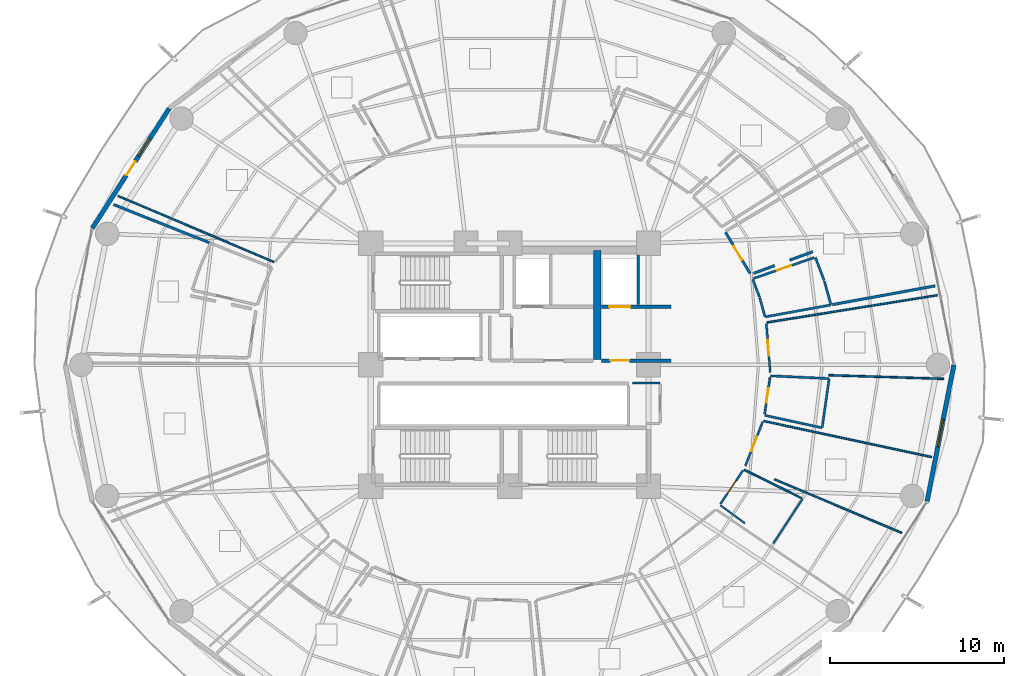
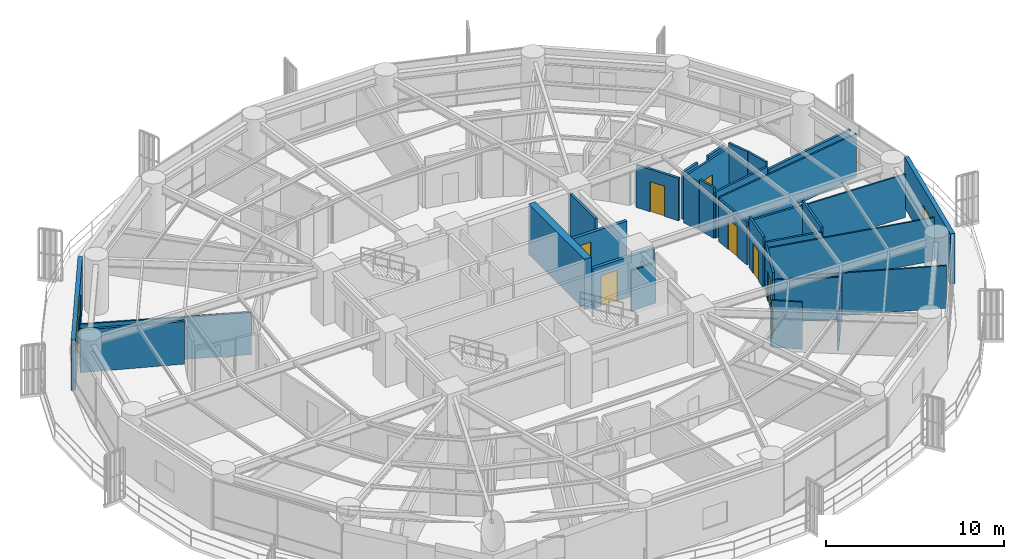
# One storey, part 27 of 33: 33 walls, 9 doors, 2 windows, 11 openings.
"""IFC4 building model written with IfcOpenShell, lengths in metres."""

from ifc_helpers import new_model, si_unit, direction, frame, frame_2d, origin, place, context, subcontext, project, spatial, rectangle, extrude, material, layer, layer_set, type_object, element, fill, save


model = new_model("IFC4")

# Units and contexts
model_context = context("Model", 3, precision=1e-05, world=origin(), true_north=direction((0.0, 1.0)))
body_context = subcontext(model_context, "Body", "Model", "MODEL_VIEW")
ifc_project = project(units=[si_unit("LENGTHUNIT", "METRE"), si_unit("AREAUNIT", "SQUARE_METRE"), si_unit("VOLUMEUNIT", "CUBIC_METRE"), si_unit("PLANEANGLEUNIT", "RADIAN"), si_unit("MASSUNIT", "GRAM", prefix="KILO")], contexts=[model_context])

# Site, building, storey
site_placement = place(None, origin())
site = spatial("IfcSite", under=ifc_project, at=site_placement, CompositionType="ELEMENT")
building_placement = place(site_placement, origin())
building = spatial("IfcBuilding", under=site, at=building_placement, Name="Kelanora Arch Commons", CompositionType="ELEMENT")
storey_placement = place(building_placement, frame((0.0, 0.0, 83.85009765625)))
storey = spatial("IfcBuildingStorey", under=building, at=storey_placement, Name="L21", CompositionType="ELEMENT", Elevation=83.85009765625)

# Wall
ifc_material_1 = material(Name="Autoclaved aerated concrete blockwork with fire plaster", Category="masonry")
ifc_layer_1 = layer(ifc_material_1, 0.14990234375)
ifc_layer_set_1 = layer_set([ifc_layer_1], Name="Autoclaved aerated concrete blockwork with fire plaster")
wall_type_1 = type_object("IfcWallType", Name="W-COMP-150", PredefinedType="PARTITIONING", material=ifc_layer_set_1)
wall_1_placement = place(storey_placement, frame((81.419921875, 61.47998046875, 0.0), z_axis=(0.0, 0.0, 1.0), x_axis=(0.0, 1.0, 0.0)))
element("IfcWall", 1, at=wall_1_placement, inside=storey, type_object=wall_type_1, Name="Firefighting Lift 2 East Shaft Wall L21", PredefinedType="PARTITIONING", context=body_context, shape_type="SweptSolid", body=[
    extrude(rectangle(XDim=2.840087890625, YDim=0.14990234375, at=frame_2d((1.419921875, 0.0))), origin(), (0.0, 0.0, 1.0), 3.47998046875),
])

# Wall, opening, door
wall_2_placement = place(storey_placement, frame((87.856201171875, 63.2666015625, 0.0), z_axis=(0.0, 0.0, 1.0), x_axis=(-0.512288635556, 0.858813340535, 0.0)))
wall_2 = element("IfcWall", 2, at=wall_2_placement, inside=storey, type_object=wall_type_1, Name="Co-Living Studio L21-01 Entry Partition", PredefinedType="PARTITIONING", context=body_context, shape_type="SweptSolid", body=[
    extrude(rectangle(XDim=2.751220703125, YDim=0.14990234375, at=frame_2d((1.37548828125, 0.0))), origin(), (0.0, 0.0, 1.0), 2.9248046875),
])
opening_1_placement = place(wall_2_placement, frame((0.90087890625, 0.0, 0.0)))
opening_1 = element("IfcOpeningElement", 3, at=opening_1_placement, cuts=wall_2, Name="Opening D-CLU1", PredefinedType="OPENING", context=body_context, shape_type="SweptSolid", body=[
    extrude(rectangle(XDim=0.949951171875, YDim=2.080078125, at=frame_2d((0.47509765625, 1.0400390625))), frame((0.0, 0.0849609375, 0.0), z_axis=(0.0, -1.0, 0.0), x_axis=(1.0, 0.0, 0.0)), (0.0, 0.0, 1.0), 0.169921875),
])
ifc_material_2 = material(Name="Solid-core acoustic timber cluster entry fire door", Category="wood")
door_type_1 = type_object("IfcDoorType", Name="D-CLU-95", OperationType="NOTDEFINED", PredefinedType="DOOR", material=ifc_material_2)
door_1_placement = place(opening_1_placement, origin())
door_1 = element("IfcDoor", 4, at=door_1_placement, inside=storey, type_object=door_type_1, Name="Co-Living Studio L21-01 Door", OperationType="SINGLE_SWING_RIGHT", OverallHeight=2.080078125, OverallWidth=0.949951171875, PredefinedType="DOOR", context=body_context, shape_type="SweptSolid", body=[
    extrude(rectangle(XDim=0.949951171875, YDim=2.080078125, at=frame_2d((0.47509765625, 1.0400390625))), frame((0.0, 0.02490234375, 0.0), z_axis=(0.0, -1.0, 0.0), x_axis=(1.0, 0.0, 0.0)), (0.0, 0.0, 1.0), 0.050048828125),
])
fill(opening_1, door_1)

# Walls
wall_3_placement = place(storey_placement, frame((98.51953125, 62.5517578125, 0.0), z_axis=(0.0, 0.0, 1.0), x_axis=(-0.983768558102, -0.17944197973, 0.0)))
element("IfcWall", 5, at=wall_3_placement, inside=storey, type_object=wall_type_1, Name="Co-Living Studio L21-01 Enclosure Partition 5", PredefinedType="PARTITIONING", context=body_context, shape_type="SweptSolid", body=[
    extrude(rectangle(XDim=6.021728515625, YDim=0.14990234375, at=frame_2d((3.0107421875, 0.0))), origin(), (0.0, 0.0, 1.0), 2.974853515625),
])
wall_4_placement = place(storey_placement, frame((91.470458984375, 64.521240234375, 0.0), z_axis=(0.0, 0.0, 1.0), x_axis=(-0.939526959999, -0.342474950084, 0.0)))
element("IfcWall", 6, at=wall_4_placement, inside=storey, type_object=wall_type_1, Name="Co-Living Studio L21-01 Enclosure Partition 7", PredefinedType="PARTITIONING", context=body_context, shape_type="SweptSolid", body=[
    extrude(rectangle(XDim=1.41943359375, YDim=0.14990234375, at=frame_2d((0.709716796875, 0.0))), origin(), (0.0, 0.0, 1.0), 3.1748046875),
])
wall_5_placement = place(storey_placement, frame((89.2724609375, 63.719970703125, 0.0), z_axis=(0.0, 0.0, 1.0), x_axis=(-0.939522570491, -0.342486991779, 0.0)))
element("IfcWall", 7, at=wall_5_placement, inside=storey, type_object=wall_type_1, Name="Co-Living Studio L21-01 Enclosure Partition 7", PredefinedType="PARTITIONING", context=body_context, shape_type="SweptSolid", body=[
    extrude(rectangle(XDim=1.291015625, YDim=0.14990234375, at=frame_2d((0.6455078125, 0.0))), origin(), (0.0, 0.0, 1.0), 3.23486328125),
])
wall_6_placement = place(storey_placement, frame((51.17919921875, 67.236083984375, 0.0), z_axis=(0.0, 0.0, 1.0), x_axis=(0.929212756669, -0.369545197294, 0.0)))
element("IfcWall", 8, at=wall_6_placement, inside=storey, type_object=wall_type_1, Name="Co-Living Studio L21-07 Enclosure Partition 5", PredefinedType="PARTITIONING", context=body_context, shape_type="SweptSolid", body=[
    extrude(rectangle(XDim=5.9326171875, YDim=0.14990234375, at=frame_2d((2.96630859375, 0.0))), origin(), (0.0, 0.0, 1.0), 2.9248046875),
])
ifc_material_3 = material(Name="Concrete C60/75", Category="concrete")
ifc_layer_2 = layer(ifc_material_3, 0.449951171875)
ifc_layer_set_2 = layer_set([ifc_layer_2], Name="Concrete C60/75")
wall_type_2 = type_object("IfcWallType", Name="W-CORE-450", PredefinedType="SHEAR", material=ifc_layer_set_2)
wall_7_placement = place(storey_placement, frame((79.050048828125, 58.300048828125, 0.0), z_axis=(0.0, 0.0, 1.0), x_axis=(0.0, 1.0, 0.0)))
element("IfcWall", 9, at=wall_7_placement, inside=storey, type_object=wall_type_2, Name="Core Shear Spine L21-CE-N", PredefinedType="SHEAR", context=body_context, shape_type="SweptSolid", body=[
    extrude(rectangle(XDim=6.300048828125, YDim=0.449951171875, at=frame_2d((3.14990234375, 0.0))), origin(), (0.0, 0.0, 1.0), 3.489990234375),
])

# Wall, openings, door, window
ifc_material_4 = material(Name="Precast concrete C40/50 with terracotta rainscreen", Category="masonry")
ifc_layer_3 = layer(ifc_material_4, 0.260009765625)
ifc_layer_set_3 = layer_set([ifc_layer_3], Name="Precast concrete C40/50 with terracotta rainscreen")
wall_type_3 = type_object("IfcWallType", Name="W-EXT-TC", PredefinedType="SOLIDWALL", material=ifc_layer_set_3)
wall_8_placement = place(storey_placement, frame((54.381103515625, 72.771484375, 0.0), z_axis=(0.0, 0.0, 1.0), x_axis=(-0.540620528459, -0.841266571432, 0.0)))
wall_8 = element("IfcWall", 10, at=wall_8_placement, inside=storey, type_object=wall_type_3, Name="Terracotta Exterior Wall L21-B07", PredefinedType="SOLIDWALL", context=body_context, shape_type="SweptSolid", body=[
    extrude(rectangle(XDim=8.19287109375, YDim=0.260009765625, at=frame_2d((4.096435546875, 0.0))), origin(), (0.0, 0.0, 1.0), 3.474853515625),
])
opening_2_placement = place(wall_8_placement, frame((3.62109375, 0.0, 0.0)))
opening_2 = element("IfcOpeningElement", 11, at=opening_2_placement, cuts=wall_8, Name="Opening DB-01", PredefinedType="OPENING", context=body_context, shape_type="SweptSolid", body=[
    extrude(rectangle(XDim=0.949951171875, YDim=2.10009765625, at=frame_2d((0.47509765625, 1.050048828125))), frame((0.0, 0.14013671875, 0.0), z_axis=(0.0, -1.0, 0.0), x_axis=(1.0, 0.0, 0.0)), (0.0, 0.0, 1.0), 0.280029296875),
])
opening_3_placement = place(wall_8_placement, frame((2.041015625, 0.0, 0.85009765625)))
opening_3 = element("IfcOpeningElement", 12, at=opening_3_placement, cuts=wall_8, Name="Opening WN-02", PredefinedType="OPENING", context=body_context, shape_type="SweptSolid", body=[
    extrude(rectangle(XDim=1.199951171875, YDim=1.449951171875, at=frame_2d((0.60009765625, 0.72509765625))), frame((0.0, 0.14013671875, 0.0), z_axis=(0.0, -1.0, 0.0), x_axis=(1.0, 0.0, 0.0)), (0.0, 0.0, 1.0), 0.280029296875),
])
ifc_material_5 = material(Name="Terracotta-aluminium thermally broken glazed balcony door", Category="masonry")
door_type_2 = type_object("IfcDoorType", Name="D-BAL-10", OperationType="NOTDEFINED", PredefinedType="DOOR", material=ifc_material_5)
door_2_placement = place(opening_2_placement, frame((0.949951171875, 0.0, 0.0), z_axis=(0.0, 0.0, 1.0), x_axis=(-1.0, 0.0, 0.0)))
door_2 = element("IfcDoor", 13, at=door_2_placement, inside=storey, type_object=door_type_2, Name="Wave Balcony Door L21-B07", OperationType="SINGLE_SWING_LEFT", OverallHeight=2.10009765625, OverallWidth=0.949951171875, PredefinedType="DOOR", context=body_context, shape_type="SweptSolid", body=[
    extrude(rectangle(XDim=0.949951171875, YDim=2.10009765625, at=frame_2d((0.47509765625, 1.050048828125))), frame((0.0, 0.02490234375, 0.0), z_axis=(0.0, -1.0, 0.0), x_axis=(1.0, 0.0, 0.0)), (0.0, 0.0, 1.0), 0.050048828125),
])
fill(opening_2, door_2)
ifc_material_6 = material(Name="Terracotta-anodised aluminium frame with operable awning sash", Category="masonry")
window_type_1 = type_object("IfcWindowType", Name="WIN-CL-12", PartitioningType="SINGLE_PANEL", PredefinedType="WINDOW", material=ifc_material_6)
window_1_placement = place(opening_3_placement, origin())
window_1 = element("IfcWindow", 14, at=window_1_placement, inside=storey, type_object=window_type_1, Name="Co-Living Operable Window L21-B07", OverallHeight=1.449951171875, OverallWidth=1.199951171875, PartitioningType="SINGLE_PANEL", PredefinedType="WINDOW", context=body_context, shape_type="SweptSolid", body=[
    extrude(rectangle(XDim=1.199951171875, YDim=1.449951171875, at=frame_2d((0.60009765625, 0.72509765625))), frame((0.0, 0.030029296875, 0.0), z_axis=(0.0, -1.0, 0.0), x_axis=(1.0, 0.0, 0.0)), (0.0, 0.0, 1.0), 0.06005859375),
])
fill(opening_3, window_1)

# Wall, opening, window
wall_9_placement = place(storey_placement, frame((98.05908203125, 50.148193359375, 0.0), z_axis=(0.0, 0.0, 1.0), x_axis=(0.192581843632, 0.981280914674, 0.0)))
wall_9 = element("IfcWall", 15, at=wall_9_placement, inside=storey, type_object=wall_type_3, Name="Terracotta Exterior Wall L21-B17", PredefinedType="SOLIDWALL", context=body_context, shape_type="SweptSolid", body=[
    extrude(rectangle(XDim=7.986572265625, YDim=0.260009765625, at=frame_2d((3.9931640625, 0.0))), origin(), (0.0, 0.0, 1.0), 3.474853515625),
])
opening_4_placement = place(wall_9_placement, frame((3.193115234375, 0.0, 0.85009765625)))
opening_4 = element("IfcOpeningElement", 16, at=opening_4_placement, cuts=wall_9, Name="Opening WN-01", PredefinedType="OPENING", context=body_context, shape_type="SweptSolid", body=[
    extrude(rectangle(XDim=1.60009765625, YDim=1.449951171875, at=frame_2d((0.800048828125, 0.72509765625))), frame((0.0, 0.14013671875, 0.0), z_axis=(0.0, -1.0, 0.0), x_axis=(1.0, 0.0, 0.0)), (0.0, 0.0, 1.0), 0.280029296875),
])
ifc_material_7 = material(Name="Terracotta-anodised aluminium frame with operable low-E glazing", Category="masonry")
window_type_2 = type_object("IfcWindowType", Name="WIN-CL-18", PartitioningType="DOUBLE_PANEL_VERTICAL", PredefinedType="WINDOW", material=ifc_material_7)
window_2_placement = place(opening_4_placement, origin())
window_2 = element("IfcWindow", 17, at=window_2_placement, inside=storey, type_object=window_type_2, Name="Co-Living Operable Window L21-B17", OverallHeight=1.449951171875, OverallWidth=1.60009765625, PartitioningType="SINGLE_PANEL", PredefinedType="WINDOW", context=body_context, shape_type="SweptSolid", body=[
    extrude(rectangle(XDim=1.60009765625, YDim=1.449951171875, at=frame_2d((0.800048828125, 0.72509765625))), frame((0.0, 0.030029296875, 0.0), z_axis=(0.0, -1.0, 0.0), x_axis=(1.0, 0.0, 0.0)), (0.0, 0.0, 1.0), 0.06005859375),
])
fill(opening_4, window_2)

# Wall, opening, door
ifc_material_8 = material(Name="Concrete C40/50", Category="concrete")
ifc_layer_4 = layer(ifc_material_8, 0.199951171875)
ifc_layer_set_4 = layer_set([ifc_layer_4], Name="Concrete C40/50")
wall_type_4 = type_object("IfcWallType", Name="W-FFL-200", PredefinedType="SOLIDWALL", material=ifc_layer_set_4)
wall_10_placement = place(storey_placement, frame((79.300048828125, 61.35009765625, 0.0), z_axis=(0.0, 0.0, 1.0), x_axis=(1.0, 0.0, 0.0)))
wall_10 = element("IfcWall", 18, at=wall_10_placement, inside=storey, type_object=wall_type_4, Name="Firefighting Lift 2 Shaft Front L21", PredefinedType="SOLIDWALL", context=body_context, shape_type="SweptSolid", body=[
    extrude(rectangle(XDim=4.0, YDim=0.199951171875, at=frame_2d((2.0, 0.0))), origin(), (0.0, 0.0, 1.0), 2.77490234375),
])
opening_5_placement = place(wall_10_placement, frame((0.449951171875, 0.0, 0.0)))
opening_5 = element("IfcOpeningElement", 19, at=opening_5_placement, cuts=wall_10, Name="Opening LD-FF", PredefinedType="OPENING", context=body_context, shape_type="SweptSolid", body=[
    extrude(rectangle(XDim=1.199951171875, YDim=2.14990234375, at=frame_2d((0.60009765625, 1.074951171875))), frame((0.0, 0.10986328125, 0.0), z_axis=(0.0, -1.0, 0.0), x_axis=(1.0, 0.0, 0.0)), (0.0, 0.0, 1.0), 0.219970703125),
])
ifc_material_9 = material(Name="Fire-rated firefighters lift sliding landing door")
door_type_3 = type_object("IfcDoorType", Name="D-LIFT-FF", OperationType="NOTDEFINED", PredefinedType="DOOR", material=ifc_material_9)
door_3_placement = place(opening_5_placement, origin())
door_3 = element("IfcDoor", 20, at=door_3_placement, inside=storey, type_object=door_type_3, Name="Firefighting Lift LF-FF2 Landing Door L21", OperationType="DOUBLE_DOOR_SLIDING", OverallHeight=2.14990234375, OverallWidth=1.199951171875, PredefinedType="DOOR", context=body_context, shape_type="SweptSolid", body=[
    extrude(rectangle(XDim=1.199951171875, YDim=2.14990234375, at=frame_2d((0.60009765625, 1.074951171875))), frame((0.0, 0.02490234375, 0.0), z_axis=(0.0, -1.0, 0.0), x_axis=(1.0, 0.0, 0.0)), (0.0, 0.0, 1.0), 0.050048828125),
])
fill(opening_5, door_3)

wall_11_placement = place(storey_placement, frame((79.300048828125, 58.25, 0.0), z_axis=(0.0, 0.0, 1.0), x_axis=(1.0, 0.0, 0.0)))
wall_11 = element("IfcWall", 21, at=wall_11_placement, inside=storey, type_object=wall_type_4, Name="Firefighting Lobby 2 Enclosure Wall L21", PredefinedType="SOLIDWALL", context=body_context, shape_type="SweptSolid", body=[
    extrude(rectangle(XDim=4.0, YDim=0.199951171875, at=frame_2d((2.0, 0.0))), origin(), (0.0, 0.0, 1.0), 2.77490234375),
])
opening_6_placement = place(wall_11_placement, frame((0.5, 0.0, 0.0)))
opening_6 = element("IfcOpeningElement", 22, at=opening_6_placement, cuts=wall_11, Name="Opening D-FFL1", PredefinedType="OPENING", context=body_context, shape_type="SweptSolid", body=[
    extrude(rectangle(XDim=1.10009765625, YDim=2.10009765625, at=frame_2d((0.550048828125, 1.050048828125))), frame((0.0, 0.10986328125, 0.0), z_axis=(0.0, -1.0, 0.0), x_axis=(1.0, 0.0, 0.0)), (0.0, 0.0, 1.0), 0.219970703125),
])
ifc_material_10 = material(Name="Smoke-sealed firefighting lobby fire door")
door_type_4 = type_object("IfcDoorType", Name="D-FFL-110", OperationType="NOTDEFINED", PredefinedType="DOOR", material=ifc_material_10)
door_4_placement = place(opening_6_placement, frame((1.10009765625, 0.0, 0.0), z_axis=(0.0, 0.0, 1.0), x_axis=(-1.0, 0.0, 0.0)))
door_4 = element("IfcDoor", 23, at=door_4_placement, inside=storey, type_object=door_type_4, Name="Firefighting Lobby 2 Door L21", OperationType="SINGLE_SWING_RIGHT", OverallHeight=2.10009765625, OverallWidth=1.10009765625, PredefinedType="DOOR", context=body_context, shape_type="SweptSolid", body=[
    extrude(rectangle(XDim=1.10009765625, YDim=2.10009765625, at=frame_2d((0.550048828125, 1.050048828125))), frame((0.0, 0.02490234375, 0.0), z_axis=(0.0, -1.0, 0.0), x_axis=(1.0, 0.0, 0.0)), (0.0, 0.0, 1.0), 0.050048828125),
])
fill(opening_6, door_4)

# Walls
ifc_material_11 = material(Name="Lightweight fire-rated acoustic stud partition")
ifc_layer_5 = layer(ifc_material_11, 0.10009765625)
ifc_layer_set_5 = layer_set([ifc_layer_5], Name="Lightweight fire-rated acoustic stud partition")
wall_type_5 = type_object("IfcWallType", Name="W-PART-100", PredefinedType="PARTITIONING", material=ifc_layer_set_5)
wall_12_placement = place(storey_placement, frame((60.420166015625, 63.926513671875, 0.0), z_axis=(0.0, 0.0, 1.0), x_axis=(-0.920723225206, 0.390216276654, 0.0)))
element("IfcWall", 24, at=wall_12_placement, inside=storey, type_object=wall_type_5, Name="Social Sky Lounge L21-06 Enclosure Partition 2", PredefinedType="PARTITIONING", context=body_context, shape_type="SweptSolid", body=[
    extrude(rectangle(XDim=9.755859375, YDim=0.10009765625, at=frame_2d((4.8779296875, 0.0))), origin(), (0.0, 0.0, 1.0), 2.9248046875),
])
wall_13_placement = place(storey_placement, frame((87.515869140625, 51.953369140625, 0.0), z_axis=(0.0, 0.0, 1.0), x_axis=(0.896816300292, -0.442403123328, 0.0)))
element("IfcWall", 25, at=wall_13_placement, inside=storey, type_object=wall_type_5, Name="Student Laundry Room L21-14 Enclosure Partition 2", PredefinedType="PARTITIONING", context=body_context, shape_type="SweptSolid", body=[
    extrude(rectangle(XDim=3.719970703125, YDim=0.10009765625, at=frame_2d((1.85986328125, 0.0))), origin(), (0.0, 0.0, 1.0), 2.9248046875),
])
wall_14_placement = place(storey_placement, frame((90.8662109375, 50.256591796875, 0.0), z_axis=(0.0, 0.0, 1.0), x_axis=(-0.548626626693, -0.836067476035, 0.0)))
element("IfcWall", 26, at=wall_14_placement, inside=storey, type_object=wall_type_5, Name="Student Laundry Room L21-14 Enclosure Partition 3", PredefinedType="PARTITIONING", context=body_context, shape_type="SweptSolid", body=[
    extrude(rectangle(XDim=3.040771484375, YDim=0.10009765625, at=frame_2d((1.5205078125, 0.0))), origin(), (0.0, 0.0, 1.0), 3.1748046875),
])
wall_15_placement = place(storey_placement, frame((87.552001953125, 48.873779296875, 0.0), z_axis=(0.0, 0.0, 1.0), x_axis=(-0.805902241708, 0.592048627065, 0.0)))
element("IfcWall", 27, at=wall_15_placement, inside=storey, type_object=wall_type_5, Name="Student Laundry Room L21-14 Enclosure Partition 4", PredefinedType="PARTITIONING", context=body_context, shape_type="SweptSolid", body=[
    extrude(rectangle(XDim=1.74560546875, YDim=0.10009765625, at=frame_2d((0.872802734375, 0.0))), origin(), (0.0, 0.0, 1.0), 3.23486328125),
])
wall_16_placement = place(storey_placement, frame((88.64111328125, 54.763671875, 0.0), z_axis=(0.0, 0.0, 1.0), x_axis=(0.97772336182, -0.209897660187, 0.0)))
element("IfcWall", 28, at=wall_16_placement, inside=storey, type_object=wall_type_5, Name="Quiet Reading Carrel L21-14 Enclosure Partition 2", PredefinedType="PARTITIONING", context=body_context, shape_type="SweptSolid", body=[
    extrude(rectangle(XDim=9.906494140625, YDim=0.10009765625, at=frame_2d((4.953125, 0.0))), origin(), (0.0, 0.0, 1.0), 2.974853515625),
])
wall_17_placement = place(storey_placement, frame((96.590087890625, 48.318603515625, 0.0), z_axis=(0.0, 0.0, 1.0), x_axis=(-0.92163364156, 0.388061117279, 0.0)))
element("IfcWall", 29, at=wall_17_placement, inside=storey, type_object=wall_type_5, Name="Quiet Reading Carrel L21-14 Enclosure Partition 4", PredefinedType="PARTITIONING", context=body_context, shape_type="SweptSolid", body=[
    extrude(rectangle(XDim=7.952880859375, YDim=0.10009765625, at=frame_2d((3.9765625, 0.0))), origin(), (0.0, 0.0, 1.0), 2.9248046875),
])
wall_18_placement = place(storey_placement, frame((88.827392578125, 60.443359375, 0.0), z_axis=(0.0, 0.0, 1.0), x_axis=(0.987442472226, 0.157978998742, 0.0)))
element("IfcWall", 30, at=wall_18_placement, inside=storey, type_object=wall_type_5, Name="Tutorial Study Alcove L21-15 Enclosure Partition 2", PredefinedType="PARTITIONING", context=body_context, shape_type="SweptSolid", body=[
    extrude(rectangle(XDim=9.933837890625, YDim=0.10009765625, at=frame_2d((4.966796875, 0.0))), origin(), (0.0, 0.0, 1.0), 2.974853515625),
])
wall_19_placement = place(storey_placement, frame((99.02392578125, 57.1953125, 0.0), z_axis=(0.0, 0.0, 1.0), x_axis=(-0.999502833447, 0.031529128296, 0.0)))
element("IfcWall", 31, at=wall_19_placement, inside=storey, type_object=wall_type_5, Name="Tutorial Study Alcove L21-15 Enclosure Partition 4", PredefinedType="PARTITIONING", context=body_context, shape_type="SweptSolid", body=[
    extrude(rectangle(XDim=6.628173828125, YDim=0.10009765625, at=frame_2d((3.31396484375, 0.0))), origin(), (0.0, 0.0, 1.0), 2.974853515625),
])

# Wall, opening, door
ifc_material_12 = material(Name="Acoustic twin-stud fire-rated gypsum partition")
ifc_layer_6 = layer(ifc_material_12, 0.1201171875)
ifc_layer_set_6 = layer_set([ifc_layer_6], Name="Acoustic twin-stud fire-rated gypsum partition")
wall_type_6 = type_object("IfcWallType", Name="W-PART-120", PredefinedType="PARTITIONING", material=ifc_layer_set_6)
wall_20_placement = place(storey_placement, frame((86.146484375, 49.980712890625, 0.0), z_axis=(0.0, 0.0, 1.0), x_axis=(0.556604342457, 0.83077771152, 0.0)))
wall_20 = element("IfcWall", 32, at=wall_20_placement, inside=storey, type_object=wall_type_6, Name="Student Laundry Room L21-14 Entry Partition", PredefinedType="PARTITIONING", context=body_context, shape_type="SweptSolid", body=[
    extrude(rectangle(XDim=2.335693359375, YDim=0.1201171875, at=frame_2d((1.16796875, 0.0))), origin(), (0.0, 0.0, 1.0), 2.9248046875),
])
opening_7_placement = place(wall_20_placement, frame((0.718017578125, 0.0, 0.0)))
opening_7 = element("IfcOpeningElement", 33, at=opening_7_placement, cuts=wall_20, Name="Opening D-RM1", PredefinedType="OPENING", context=body_context, shape_type="SweptSolid", body=[
    extrude(rectangle(XDim=0.89990234375, YDim=2.080078125, at=frame_2d((0.449951171875, 1.0400390625))), frame((0.0, 0.070068359375, 0.0), z_axis=(0.0, -1.0, 0.0), x_axis=(1.0, 0.0, 0.0)), (0.0, 0.0, 1.0), 0.14013671875),
])
ifc_material_13 = material(Name="Acoustic fire-rated timber study and lounge door", Category="wood")
door_type_5 = type_object("IfcDoorType", Name="D-ROOM-90", OperationType="NOTDEFINED", PredefinedType="DOOR", material=ifc_material_13)
door_5_placement = place(opening_7_placement, origin())
door_5 = element("IfcDoor", 34, at=door_5_placement, inside=storey, type_object=door_type_5, Name="Student Laundry Room L21-14 Door", OperationType="SINGLE_SWING_LEFT", OverallHeight=2.080078125, OverallWidth=0.89990234375, PredefinedType="DOOR", context=body_context, shape_type="SweptSolid", body=[
    extrude(rectangle(XDim=0.89990234375, YDim=2.080078125, at=frame_2d((0.449951171875, 1.0400390625))), frame((0.0, 0.02490234375, 0.0), z_axis=(0.0, -1.0, 0.0), x_axis=(1.0, 0.0, 0.0)), (0.0, 0.0, 1.0), 0.050048828125),
])
fill(opening_7, door_5)

wall_21_placement = place(storey_placement, frame((87.581787109375, 52.1767578125, 0.0), z_axis=(0.0, 0.0, 1.0), x_axis=(0.365846135531, 0.930675348936, 0.0)))
wall_21 = element("IfcWall", 35, at=wall_21_placement, inside=storey, type_object=wall_type_6, Name="Quiet Reading Carrel L21-14 Entry Partition", PredefinedType="PARTITIONING", context=body_context, shape_type="SweptSolid", body=[
    extrude(rectangle(XDim=2.728759765625, YDim=0.1201171875, at=frame_2d((1.3642578125, 0.0))), origin(), (0.0, 0.0, 1.0), 3.23486328125),
])
opening_8_placement = place(wall_21_placement, frame((0.9140625, 0.0, 0.0)))
opening_8 = element("IfcOpeningElement", 36, at=opening_8_placement, cuts=wall_21, Name="Opening D-RM1", PredefinedType="OPENING", context=body_context, shape_type="SweptSolid", body=[
    extrude(rectangle(XDim=0.89990234375, YDim=2.080078125, at=frame_2d((0.449951171875, 1.0400390625))), frame((0.0, 0.070068359375, 0.0), z_axis=(0.0, -1.0, 0.0), x_axis=(1.0, 0.0, 0.0)), (0.0, 0.0, 1.0), 0.14013671875),
])
door_6_placement = place(opening_8_placement, origin())
door_6 = element("IfcDoor", 37, at=door_6_placement, inside=storey, type_object=door_type_5, Name="Quiet Reading Carrel L21-14 Door", OperationType="SINGLE_SWING_RIGHT", OverallHeight=2.080078125, OverallWidth=0.89990234375, PredefinedType="DOOR", context=body_context, shape_type="SweptSolid", body=[
    extrude(rectangle(XDim=0.89990234375, YDim=2.080078125, at=frame_2d((0.449951171875, 1.0400390625))), frame((0.0, 0.02490234375, 0.0), z_axis=(0.0, -1.0, 0.0), x_axis=(1.0, 0.0, 0.0)), (0.0, 0.0, 1.0), 0.050048828125),
])
fill(opening_8, door_6)

wall_22_placement = place(storey_placement, frame((89.015380859375, 57.57080078125, 0.0), z_axis=(0.0, 0.0, 1.0), x_axis=(-0.079090310477, 0.996867454975, 0.0)))
wall_22 = element("IfcWall", 38, at=wall_22_placement, inside=storey, type_object=wall_type_6, Name="Tutorial Study Alcove L21-15 Entry Partition", PredefinedType="PARTITIONING", context=body_context, shape_type="SweptSolid", body=[
    extrude(rectangle(XDim=2.815185546875, YDim=0.1201171875, at=frame_2d((1.40771484375, 0.0))), origin(), (0.0, 0.0, 1.0), 2.9248046875),
])
opening_9_placement = place(wall_22_placement, frame((0.9580078125, 0.0, 0.0)))
opening_9 = element("IfcOpeningElement", 39, at=opening_9_placement, cuts=wall_22, Name="Opening D-RM1", PredefinedType="OPENING", context=body_context, shape_type="SweptSolid", body=[
    extrude(rectangle(XDim=0.89990234375, YDim=2.080078125, at=frame_2d((0.449951171875, 1.0400390625))), frame((0.0, 0.070068359375, 0.0), z_axis=(0.0, -1.0, 0.0), x_axis=(1.0, 0.0, 0.0)), (0.0, 0.0, 1.0), 0.14013671875),
])
door_7_placement = place(opening_9_placement, origin())
door_7 = element("IfcDoor", 40, at=door_7_placement, inside=storey, type_object=door_type_5, Name="Tutorial Study Alcove L21-15 Door", OperationType="SINGLE_SWING_RIGHT", OverallHeight=2.080078125, OverallWidth=0.89990234375, PredefinedType="DOOR", context=body_context, shape_type="SweptSolid", body=[
    extrude(rectangle(XDim=0.89990234375, YDim=2.080078125, at=frame_2d((0.449951171875, 1.0400390625))), frame((0.0, 0.02490234375, 0.0), z_axis=(0.0, -1.0, 0.0), x_axis=(1.0, 0.0, 0.0)), (0.0, 0.0, 1.0), 0.050048828125),
])
fill(opening_9, door_7)

ifc_material_14 = material(Name="Moisture-resistant fire-rated cement-board plumbing wall")
ifc_layer_7 = layer(ifc_material_14, 0.1298828125)
ifc_layer_set_7 = layer_set([ifc_layer_7], Name="Moisture-resistant fire-rated cement-board plumbing wall")
wall_type_7 = type_object("IfcWallType", Name="W-WET-120", PredefinedType="PLUMBINGWALL", material=ifc_layer_set_7)
wall_23_placement = place(storey_placement, frame((88.0556640625, 62.98046875, 0.0), z_axis=(0.0, 0.0, 1.0), x_axis=(0.94570750663, 0.325018940838, 0.0)))
wall_23 = element("IfcWall", 41, at=wall_23_placement, inside=storey, type_object=wall_type_7, Name="En-Suite Shower WC L21-01 Entry Partition", PredefinedType="PLUMBINGWALL", context=body_context, shape_type="SweptSolid", body=[
    extrude(rectangle(XDim=3.70166015625, YDim=0.1298828125, at=frame_2d((1.850830078125, 0.0))), origin(), (0.0, 0.0, 1.0), 3.1748046875),
])
opening_10_placement = place(wall_23_placement, frame((1.4208984375, 0.0, 0.0)))
opening_10 = element("IfcOpeningElement", 42, at=opening_10_placement, cuts=wall_23, Name="Opening D-BT1", PredefinedType="OPENING", context=body_context, shape_type="SweptSolid", body=[
    extrude(rectangle(XDim=0.860107421875, YDim=2.050048828125, at=frame_2d((0.43017578125, 1.02490234375))), frame((0.0, 0.074951171875, 0.0), z_axis=(0.0, -1.0, 0.0), x_axis=(1.0, 0.0, 0.0)), (0.0, 0.0, 1.0), 0.14990234375),
])
ifc_material_15 = material(Name="Moisture-sealed fire-rated accessible bathroom door")
door_type_6 = type_object("IfcDoorType", Name="D-BATH-85", OperationType="NOTDEFINED", PredefinedType="DOOR", material=ifc_material_15)
door_8_placement = place(opening_10_placement, origin())
door_8 = element("IfcDoor", 43, at=door_8_placement, inside=storey, type_object=door_type_6, Name="En-Suite Shower WC L21-01 Door", OperationType="SINGLE_SWING_LEFT", OverallHeight=2.050048828125, OverallWidth=0.860107421875, PredefinedType="DOOR", context=body_context, shape_type="SweptSolid", body=[
    extrude(rectangle(XDim=0.860107421875, YDim=2.050048828125, at=frame_2d((0.43017578125, 1.02490234375))), frame((0.0, 0.02490234375, 0.0), z_axis=(0.0, -1.0, 0.0), x_axis=(1.0, 0.0, 0.0)), (0.0, 0.0, 1.0), 0.050048828125),
])
fill(opening_10, door_8)

wall_24_placement = place(storey_placement, frame((88.693603515625, 55.155517578125, 0.0), z_axis=(0.0, 0.0, 1.0), x_axis=(0.14330641518, 0.989678367637, 0.0)))
wall_24 = element("IfcWall", 44, at=wall_24_placement, inside=storey, type_object=wall_type_7, Name="Accessible Shared Floor WC L21-15 Entry Partition", PredefinedType="PLUMBINGWALL", context=body_context, shape_type="SweptSolid", body=[
    extrude(rectangle(XDim=2.175537109375, YDim=0.1298828125, at=frame_2d((1.087890625, 0.0))), origin(), (0.0, 0.0, 1.0), 3.47998046875),
])
opening_11_placement = place(wall_24_placement, frame((0.657958984375, 0.0, 0.0)))
opening_11 = element("IfcOpeningElement", 45, at=opening_11_placement, cuts=wall_24, Name="Opening D-BT1", PredefinedType="OPENING", context=body_context, shape_type="SweptSolid", body=[
    extrude(rectangle(XDim=0.860107421875, YDim=2.050048828125, at=frame_2d((0.43017578125, 1.02490234375))), frame((0.0, 0.074951171875, 0.0), z_axis=(0.0, -1.0, 0.0), x_axis=(1.0, 0.0, 0.0)), (0.0, 0.0, 1.0), 0.14990234375),
])
door_9_placement = place(opening_11_placement, origin())
door_9 = element("IfcDoor", 46, at=door_9_placement, inside=storey, type_object=door_type_6, Name="Accessible Shared Floor WC L21-15 Door", OperationType="SINGLE_SWING_LEFT", OverallHeight=2.050048828125, OverallWidth=0.860107421875, PredefinedType="DOOR", context=body_context, shape_type="SweptSolid", body=[
    extrude(rectangle(XDim=0.860107421875, YDim=2.050048828125, at=frame_2d((0.43017578125, 1.02490234375))), frame((0.0, 0.02490234375, 0.0), z_axis=(0.0, -1.0, 0.0), x_axis=(1.0, 0.0, 0.0)), (0.0, 0.0, 1.0), 0.050048828125),
])
fill(opening_11, door_9)

# Walls
wall_25_placement = place(storey_placement, frame((82.659912109375, 56.949951171875, 0.0), z_axis=(0.0, 0.0, 1.0), x_axis=(-1.0, 0.0, 0.0)))
element("IfcWall", 47, at=wall_25_placement, inside=storey, type_object=wall_type_7, Name="Core Accessible Unisex WC L21 Enclosure Partition 3", PredefinedType="PLUMBINGWALL", context=body_context, shape_type="SweptSolid", body=[
    extrude(rectangle(XDim=1.58984375, YDim=0.1298828125, at=frame_2d((0.794921875, 0.0))), origin(), (0.0, 0.0, 1.0), 2.77490234375),
])
wall_26_placement = place(storey_placement, frame((88.712646484375, 60.783203125, 0.0), z_axis=(0.0, 0.0, 1.0), x_axis=(-0.267768177699, 0.963483369349, 0.0)))
element("IfcWall", 48, at=wall_26_placement, inside=storey, type_object=wall_type_7, Name="En-Suite Shower WC L21-01 Enclosure Partition 1", PredefinedType="PLUMBINGWALL", context=body_context, shape_type="SweptSolid", body=[
    extrude(rectangle(XDim=1.1142578125, YDim=0.1298828125, at=frame_2d((0.55712890625, 0.0))), origin(), (0.0, 0.0, 1.0), 3.47998046875),
])
wall_27_placement = place(storey_placement, frame((88.40185546875, 61.894775390625, 0.0), z_axis=(0.0, 0.0, 1.0), x_axis=(-0.353392089541, 0.935475296868, 0.0)))
element("IfcWall", 49, at=wall_27_placement, inside=storey, type_object=wall_type_7, Name="En-Suite Shower WC L21-01 Enclosure Partition 2", PredefinedType="PLUMBINGWALL", context=body_context, shape_type="SweptSolid", body=[
    extrude(rectangle(XDim=1.119873046875, YDim=0.1298828125, at=frame_2d((0.56005859375, 0.0))), origin(), (0.0, 0.0, 1.0), 3.23486328125),
])
wall_28_placement = place(storey_placement, frame((91.6201171875, 64.184326171875, 0.0), z_axis=(0.0, 0.0, 1.0), x_axis=(0.355383981736, -0.934720399652, 0.0)))
element("IfcWall", 50, at=wall_28_placement, inside=storey, type_object=wall_type_7, Name="En-Suite Shower WC L21-01 Enclosure Partition 4", PredefinedType="PLUMBINGWALL", context=body_context, shape_type="SweptSolid", body=[
    extrude(rectangle(XDim=1.41162109375, YDim=0.1298828125, at=frame_2d((0.705810546875, 0.0))), origin(), (0.0, 0.0, 1.0), 3.47998046875),
])
wall_29_placement = place(storey_placement, frame((92.134521484375, 62.82666015625, 0.0), z_axis=(0.0, 0.0, 1.0), x_axis=(0.268855284743, -0.963180583206, 0.0)))
element("IfcWall", 51, at=wall_29_placement, inside=storey, type_object=wall_type_7, Name="En-Suite Shower WC L21-01 Enclosure Partition 5", PredefinedType="PLUMBINGWALL", context=body_context, shape_type="SweptSolid", body=[
    extrude(rectangle(XDim=1.403076171875, YDim=0.1298828125, at=frame_2d((0.70166015625, 0.0))), origin(), (0.0, 0.0, 1.0), 3.47998046875),
])
wall_30_placement = place(storey_placement, frame((92.497314453125, 61.452392578125, 0.0), z_axis=(0.0, 0.0, 1.0), x_axis=(-0.983811592037, -0.17920589101, 0.0)))
element("IfcWall", 52, at=wall_30_placement, inside=storey, type_object=wall_type_7, Name="En-Suite Shower WC L21-01 Enclosure Partition 6", PredefinedType="PLUMBINGWALL", context=body_context, shape_type="SweptSolid", body=[
    extrude(rectangle(XDim=3.8212890625, YDim=0.1298828125, at=frame_2d((1.91064453125, 0.0))), origin(), (0.0, 0.0, 1.0), 3.1748046875),
])
wall_31_placement = place(storey_placement, frame((89.033935546875, 57.3671875, 0.0), z_axis=(0.0, 0.0, 1.0), x_axis=(0.998931351305, -0.046218560994, 0.0)))
element("IfcWall", 53, at=wall_31_placement, inside=storey, type_object=wall_type_7, Name="Accessible Shared Floor WC L21-15 Enclosure Partition 2", PredefinedType="PLUMBINGWALL", context=body_context, shape_type="SweptSolid", body=[
    extrude(rectangle(XDim=3.359619140625, YDim=0.1298828125, at=frame_2d((1.6796875, 0.0))), origin(), (0.0, 0.0, 1.0), 3.1748046875),
])
wall_32_placement = place(storey_placement, frame((92.4072265625, 57.191162109375, 0.0), z_axis=(0.0, 0.0, 1.0), x_axis=(-0.140575090878, -0.990070019658, 0.0)))
element("IfcWall", 54, at=wall_32_placement, inside=storey, type_object=wall_type_7, Name="Accessible Shared Floor WC L21-15 Enclosure Partition 3", PredefinedType="PLUMBINGWALL", context=body_context, shape_type="SweptSolid", body=[
    extrude(rectangle(XDim=2.827392578125, YDim=0.1298828125, at=frame_2d((1.41357421875, 0.0))), origin(), (0.0, 0.0, 1.0), 3.47998046875),
])
wall_33_placement = place(storey_placement, frame((91.987548828125, 54.376220703125, 0.0), z_axis=(0.0, 0.0, 1.0), x_axis=(-0.977059488183, 0.212966562048, 0.0)))
element("IfcWall", 55, at=wall_33_placement, inside=storey, type_object=wall_type_7, Name="Accessible Shared Floor WC L21-15 Enclosure Partition 4", PredefinedType="PLUMBINGWALL", context=body_context, shape_type="SweptSolid", body=[
    extrude(rectangle(XDim=3.360107421875, YDim=0.1298828125, at=frame_2d((1.68017578125, 0.0))), origin(), (0.0, 0.0, 1.0), 3.1748046875),
])

save(model, "model.ifc")
